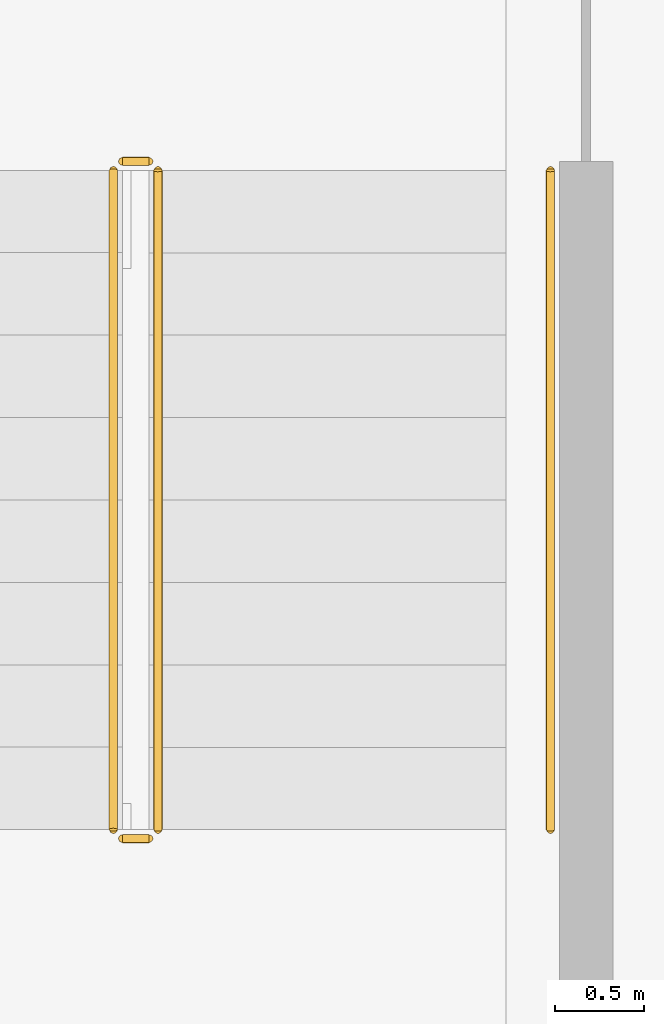
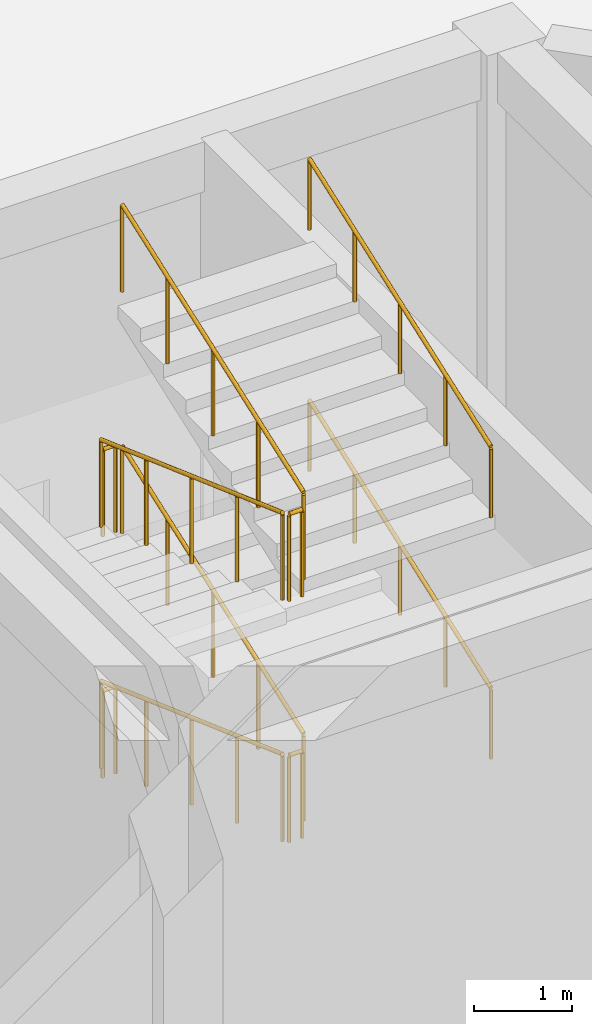
# One storey, part 43 of 44: 10 railings.
"""IFC4 building model written with IfcOpenShell, lengths in metres."""

from ifc_helpers import new_model, si_unit, direction, frame, origin, origin_2d, place, context, subcontext, project, spatial, circle, extrude, material, type_object, element, save


model = new_model("IFC4")

# Units and contexts
model_context = context("Model", 3, precision=1e-05, world=origin(), true_north=direction((0.0, 1.0)))
body_context = subcontext(model_context, "Body", "Model", "MODEL_VIEW")
ifc_project = project(units=[si_unit("LENGTHUNIT", "METRE"), si_unit("AREAUNIT", "SQUARE_METRE"), si_unit("VOLUMEUNIT", "CUBIC_METRE"), si_unit("PLANEANGLEUNIT", "RADIAN"), si_unit("MASSUNIT", "GRAM", prefix="KILO")], contexts=[model_context])

# Site, building, storey
site_placement = place(None, origin())
site = spatial("IfcSite", under=ifc_project, at=site_placement, CompositionType="ELEMENT")
building_placement = place(site_placement, origin())
building = spatial("IfcBuilding", under=site, at=building_placement, Name="Dhurran Vertical Campus", CompositionType="ELEMENT")
storey_placement = place(building_placement, origin())
storey = spatial("IfcBuildingStorey", under=building, at=storey_placement, Name="L00", CompositionType="ELEMENT", Elevation=0.0)

# Railings
ifc_material_1 = material(Name="Steel S355J2H", Category="steel")
railing_type_1 = type_object("IfcRailingType", Name="hl-stair guard 1100", PredefinedType="GUARDRAIL", material=ifc_material_1)
railing_1_placement = place(storey_placement, frame((118.39990234375, 24.550048828125, 0.166748046875)))
element("IfcRailing", 1, at=railing_1_placement, inside=storey, type_object=railing_type_1, Name="L00 HST2 stair guard 1", PredefinedType="GUARDRAIL", context=body_context, shape_type="SweptSolid", body=[
    extrude(circle(Radius=0.02392578125, at=origin_2d()), frame((0.0, 0.0, 1.076171875), z_axis=(0.0, -0.94067018433, 0.339322272054), x_axis=(1.0, 0.0, 0.0)), (0.0, 0.0, 1.0), 3.92919921875),
    extrude(circle(Radius=0.02099609375, at=origin_2d()), origin(), (0.0, 0.0, 1.0), 1.052001953125),
    extrude(circle(Radius=0.02099609375, at=origin_2d()), frame((0.0, -0.924072265625, 0.333251953125)), (0.0, 0.0, 1.0), 1.052001953125),
    extrude(circle(Radius=0.02099609375, at=origin_2d()), frame((0.0, -1.84814453125, 0.66650390625)), (0.0, 0.0, 1.0), 1.052001953125),
    extrude(circle(Radius=0.02099609375, at=origin_2d()), frame((0.0, -2.77197265625, 1.0)), (0.0, 0.0, 1.0), 1.052001953125),
    extrude(circle(Radius=0.02099609375, at=origin_2d()), frame((0.0, -3.696044921875, 1.333251953125)), (0.0, 0.0, 1.0), 1.052001953125),
])
railing_2_placement = place(storey_placement, frame((118.449951171875, 20.803955078125, 1.5)))
element("IfcRailing", 2, at=railing_2_placement, inside=storey, type_object=railing_type_1, Name="L00 HST2 stair guard 2", PredefinedType="GUARDRAIL", context=body_context, shape_type="SweptSolid", body=[
    extrude(circle(Radius=0.02392578125, at=origin_2d()), frame((0.0, 0.0, 1.076171875), z_axis=(1.0, 0.0, 0.0), x_axis=(0.0, 1.0, 0.0)), (0.0, 0.0, 1.0), 0.150146484375),
    extrude(circle(Radius=0.02099609375, at=origin_2d()), origin(), (0.0, 0.0, 1.0), 1.052001953125),
    extrude(circle(Radius=0.02099609375, at=origin_2d()), frame((0.150146484375, 0.0, 0.0)), (0.0, 0.0, 1.0), 1.052001953125),
])
railing_3_placement = place(storey_placement, frame((118.64990234375, 20.85400390625, 1.666748046875)))
element("IfcRailing", 3, at=railing_3_placement, inside=storey, type_object=railing_type_1, Name="L00 HST2 stair guard 3", PredefinedType="GUARDRAIL", context=body_context, shape_type="SweptSolid", body=[
    extrude(circle(Radius=0.02392578125, at=origin_2d()), frame((0.0, 0.0, 1.076171875), z_axis=(0.0, 0.94067018433, 0.339322272054), x_axis=(-1.0, 0.0, 0.0)), (0.0, 0.0, 1.0), 3.92919921875),
    extrude(circle(Radius=0.02099609375, at=origin_2d()), origin(), (0.0, 0.0, 1.0), 1.052001953125),
    extrude(circle(Radius=0.02099609375, at=origin_2d()), frame((0.0, 0.924072265625, 0.333251953125)), (0.0, 0.0, 1.0), 1.052001953125),
    extrude(circle(Radius=0.02099609375, at=origin_2d()), frame((0.0, 1.84814453125, 0.66650390625)), (0.0, 0.0, 1.0), 1.052001953125),
    extrude(circle(Radius=0.02099609375, at=origin_2d()), frame((0.0, 2.77197265625, 1.0)), (0.0, 0.0, 1.0), 1.052001953125),
    extrude(circle(Radius=0.02099609375, at=origin_2d()), frame((0.0, 3.696044921875, 1.333251953125)), (0.0, 0.0, 1.0), 1.052001953125),
])
railing_4_placement = place(storey_placement, frame((118.449951171875, 24.60009765625, 3.0)))
element("IfcRailing", 4, at=railing_4_placement, inside=storey, type_object=railing_type_1, Name="L00 HST2 stair guard 4", PredefinedType="GUARDRAIL", context=body_context, shape_type="SweptSolid", body=[
    extrude(circle(Radius=0.02392578125, at=origin_2d()), frame((0.0, 0.0, 1.076171875), z_axis=(1.0, 0.0, 0.0), x_axis=(0.0, 1.0, 0.0)), (0.0, 0.0, 1.0), 0.150146484375),
    extrude(circle(Radius=0.02099609375, at=origin_2d()), origin(), (0.0, 0.0, 1.0), 1.052001953125),
    extrude(circle(Radius=0.02099609375, at=origin_2d()), frame((0.150146484375, 0.0, 0.0)), (0.0, 0.0, 1.0), 1.052001953125),
])
railing_5_placement = place(storey_placement, frame((118.39990234375, 24.550048828125, 3.166748046875)))
element("IfcRailing", 5, at=railing_5_placement, inside=storey, type_object=railing_type_1, Name="L00 HST2 stair guard 5", PredefinedType="GUARDRAIL", context=body_context, shape_type="SweptSolid", body=[
    extrude(circle(Radius=0.02392578125, at=origin_2d()), frame((0.0, 0.0, 1.076171875), z_axis=(0.0, -0.94067018433, 0.339322272054), x_axis=(1.0, 0.0, 0.0)), (0.0, 0.0, 1.0), 3.92919921875),
    extrude(circle(Radius=0.02099609375, at=origin_2d()), origin(), (0.0, 0.0, 1.0), 1.052001953125),
    extrude(circle(Radius=0.02099609375, at=origin_2d()), frame((0.0, -0.924072265625, 0.333251953125)), (0.0, 0.0, 1.0), 1.052001953125),
    extrude(circle(Radius=0.02099609375, at=origin_2d()), frame((0.0, -1.84814453125, 0.66650390625)), (0.0, 0.0, 1.0), 1.052001953125),
    extrude(circle(Radius=0.02099609375, at=origin_2d()), frame((0.0, -2.77197265625, 1.0)), (0.0, 0.0, 1.0), 1.052001953125),
    extrude(circle(Radius=0.02099609375, at=origin_2d()), frame((0.0, -3.696044921875, 1.333251953125)), (0.0, 0.0, 1.0), 1.052001953125),
])
railing_6_placement = place(storey_placement, frame((118.449951171875, 20.803955078125, 4.5)))
element("IfcRailing", 6, at=railing_6_placement, inside=storey, type_object=railing_type_1, Name="L00 HST2 stair guard 6", PredefinedType="GUARDRAIL", context=body_context, shape_type="SweptSolid", body=[
    extrude(circle(Radius=0.02392578125, at=origin_2d()), frame((0.0, 0.0, 1.076171875), z_axis=(1.0, 0.0, 0.0), x_axis=(0.0, 1.0, 0.0)), (0.0, 0.0, 1.0), 0.150146484375),
    extrude(circle(Radius=0.02099609375, at=origin_2d()), origin(), (0.0, 0.0, 1.0), 1.052001953125),
    extrude(circle(Radius=0.02099609375, at=origin_2d()), frame((0.150146484375, 0.0, 0.0)), (0.0, 0.0, 1.0), 1.052001953125),
])
railing_7_placement = place(storey_placement, frame((118.64990234375, 20.85400390625, 4.666748046875)))
element("IfcRailing", 7, at=railing_7_placement, inside=storey, type_object=railing_type_1, Name="L00 HST2 stair guard 7", PredefinedType="GUARDRAIL", context=body_context, shape_type="SweptSolid", body=[
    extrude(circle(Radius=0.02392578125, at=origin_2d()), frame((0.0, 0.0, 1.076171875), z_axis=(0.0, 0.94067018433, 0.339322272054), x_axis=(-1.0, 0.0, 0.0)), (0.0, 0.0, 1.0), 3.92919921875),
    extrude(circle(Radius=0.02099609375, at=origin_2d()), origin(), (0.0, 0.0, 1.0), 1.052001953125),
    extrude(circle(Radius=0.02099609375, at=origin_2d()), frame((0.0, 0.924072265625, 0.333251953125)), (0.0, 0.0, 1.0), 1.052001953125),
    extrude(circle(Radius=0.02099609375, at=origin_2d()), frame((0.0, 1.84814453125, 0.66650390625)), (0.0, 0.0, 1.0), 1.052001953125),
    extrude(circle(Radius=0.02099609375, at=origin_2d()), frame((0.0, 2.77197265625, 1.0)), (0.0, 0.0, 1.0), 1.052001953125),
    extrude(circle(Radius=0.02099609375, at=origin_2d()), frame((0.0, 3.696044921875, 1.333251953125)), (0.0, 0.0, 1.0), 1.052001953125),
])
railing_8_placement = place(storey_placement, frame((118.449951171875, 24.60009765625, 0.0)))
element("IfcRailing", 8, at=railing_8_placement, inside=storey, type_object=railing_type_1, Name="L00 HST2 stair guard 8", PredefinedType="GUARDRAIL", context=body_context, shape_type="SweptSolid", body=[
    extrude(circle(Radius=0.02392578125, at=origin_2d()), frame((0.0, 0.0, 1.076171875), z_axis=(1.0, 0.0, 0.0), x_axis=(0.0, 1.0, 0.0)), (0.0, 0.0, 1.0), 0.150146484375),
    extrude(circle(Radius=0.02099609375, at=origin_2d()), origin(), (0.0, 0.0, 1.0), 1.052001953125),
    extrude(circle(Radius=0.02099609375, at=origin_2d()), frame((0.150146484375, 0.0, 0.0)), (0.0, 0.0, 1.0), 1.052001953125),
])
ifc_material_2 = material(Name="Steel S355J2H", Category="steel")
railing_type_2 = type_object("IfcRailingType", Name="hl-stair handrail", PredefinedType="HANDRAIL", material=ifc_material_2)
for number, where, name in (
    (9, (120.85009765625, 20.85400390625, 1.666748046875), "L00 HST2 stair handrail 2"),
    (10, (120.85009765625, 20.85400390625, 4.666748046875), "L00 HST2 stair handrail 4"),
):
    element("IfcRailing", number, at=place(storey_placement, frame(where)), inside=storey, type_object=railing_type_2, Name=name, PredefinedType="HANDRAIL", context=body_context, shape_type="SweptSolid", body=[
        extrude(circle(Radius=0.02392578125, at=origin_2d()), frame((0.0, 0.0, 0.8759765625), z_axis=(0.0, 0.94067018433, 0.339322272054), x_axis=(-1.0, 0.0, 0.0)), (0.0, 0.0, 1.0), 3.92919921875),
        extrude(circle(Radius=0.02099609375, at=origin_2d()), origin(), (0.0, 0.0, 1.0), 0.851806640625),
        extrude(circle(Radius=0.02099609375, at=origin_2d()), frame((0.0, 0.924072265625, 0.333251953125)), (0.0, 0.0, 1.0), 0.851806640625),
        extrude(circle(Radius=0.02099609375, at=origin_2d()), frame((0.0, 1.84814453125, 0.66650390625)), (0.0, 0.0, 1.0), 0.851806640625),
        extrude(circle(Radius=0.02099609375, at=origin_2d()), frame((0.0, 2.77197265625, 1.0)), (0.0, 0.0, 1.0), 0.851806640625),
        extrude(circle(Radius=0.02099609375, at=origin_2d()), frame((0.0, 3.696044921875, 1.333251953125)), (0.0, 0.0, 1.0), 0.851806640625),
    ])

save(model, "model.ifc")
